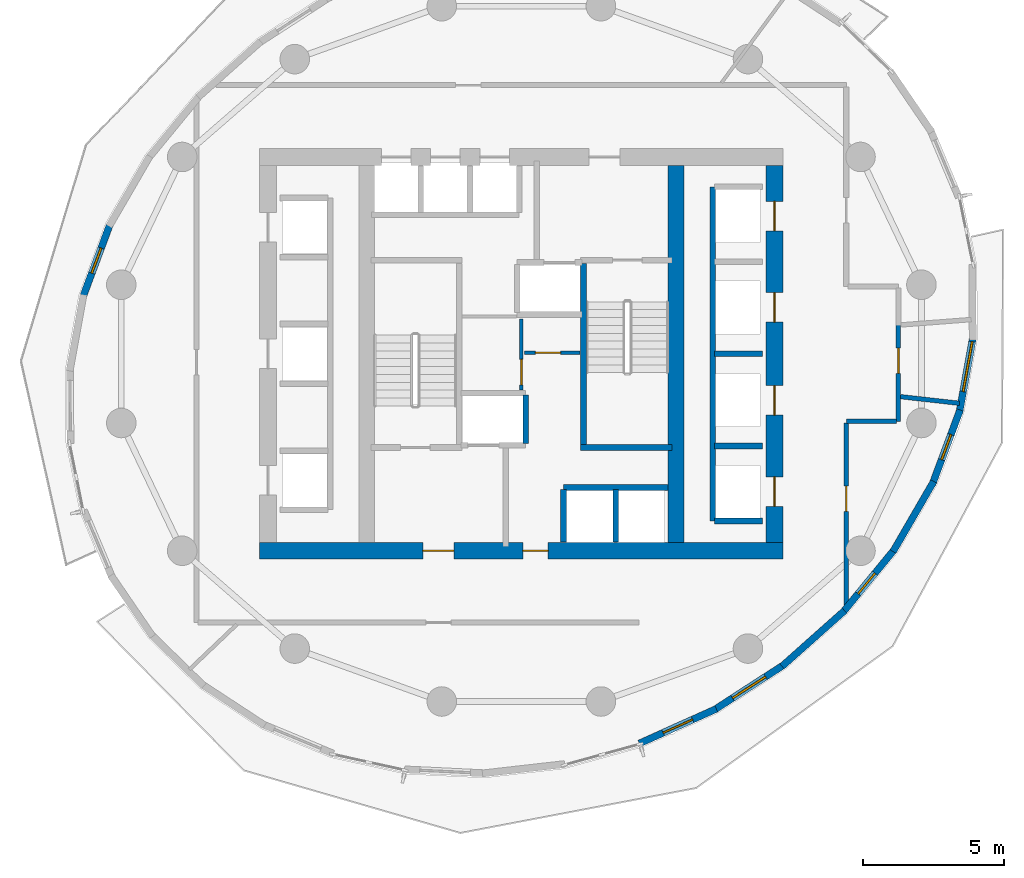
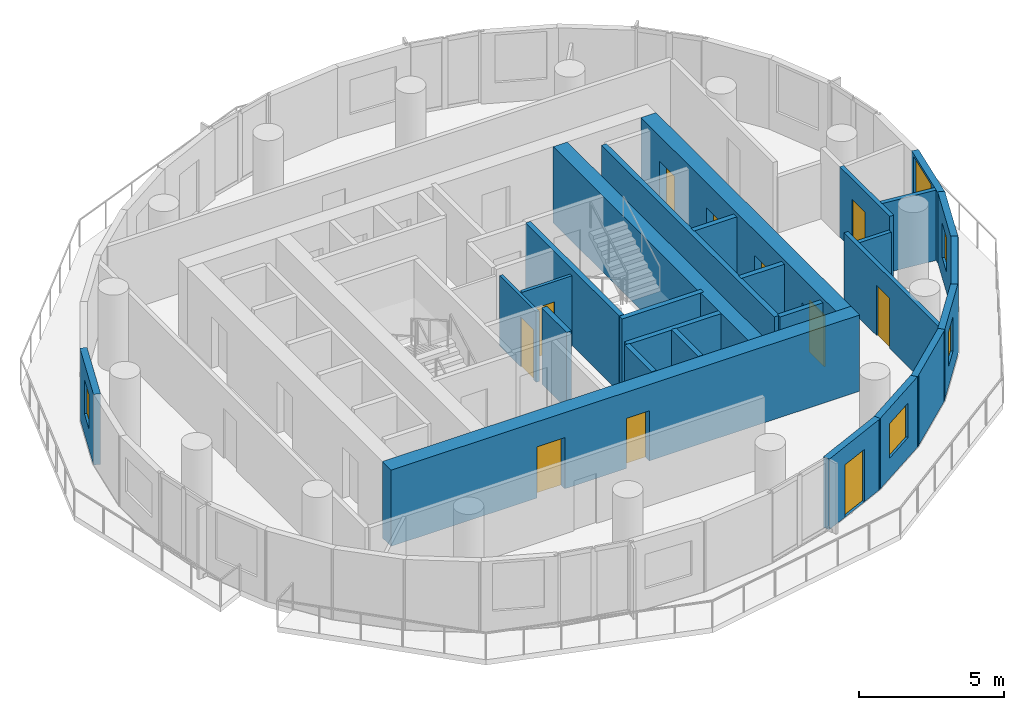
# One storey, part 4 of 11: 27 walls, 11 doors, 5 windows, 16 openings.
"""IFC4 building model written with IfcOpenShell, lengths in metres."""

import ifcopenshell
import ifcopenshell.guid

model = None  # the IFC model being written
_history = None  # IfcOwnerHistory: only IFC2X3 demands one
_inside = {}  # id of a spatial element -> (the spatial element, [elements in it])
_under = {}  # id of a project, library or spatial element -> (it, [spatial elements below it])
_declared = {}  # id of a project -> (the project, [libraries it declares])
_typed = {}  # id of a type object -> (the type object, [elements of that type])
_made_of = {}  # id of a material, layer set ... -> (it, [elements and type objects made of it])


def new_model(schema):
    """Start an empty IFC model of exactly this schema.

    Asked for "IFC4X3", IfcOpenShell would pick the latest addendum, in which some entities
    have other attributes; the version numbers below select the first issue.
    IFC2X3 requires an IfcOwnerHistory on every rooted entity: one is made here for all.
    """
    global model, _history
    if schema == "IFC4X3":
        model = ifcopenshell.file(schema_version=(4, 3, 0, 0))
    else:
        model = ifcopenshell.file(schema=schema)
    _inside.clear()
    _under.clear()
    _declared.clear()
    _typed.clear()
    _made_of.clear()
    _history = None
    if model.schema == "IFC2X3":
        org = make("IfcOrganization", Name="unknown")
        user = make(
            "IfcPersonAndOrganization",
            ThePerson=make("IfcPerson", FamilyName="unknown"),
            TheOrganization=org,
        )
        app = make(
            "IfcApplication",
            ApplicationDeveloper=org,
            Version="unknown",
            ApplicationFullName="unknown",
            ApplicationIdentifier="unknown",
        )
        _history = make(
            "IfcOwnerHistory",
            OwningUser=user,
            OwningApplication=app,
            ChangeAction="ADDED",
            CreationDate=0,
        )
    return model


def make(cls, **values):
    """One entity of the class cls with the attributes given. An attribute that is None is left unset."""
    return model.create_entity(
        cls, **{name: value for name, value in values.items() if value is not None}
    )


def rooted(cls, **values):
    """An entity with a GlobalId (a new one), such as an element, a storey or a relation."""
    return make(cls, GlobalId=ifcopenshell.guid.new(), OwnerHistory=_history, **values)


def si_unit(unit_type, name, prefix=None):
    """IfcSIUnit, for example si_unit("LENGTHUNIT", "METRE", prefix="MILLI")."""
    return make("IfcSIUnit", UnitType=unit_type, Prefix=prefix, Name=name)


def assignment(units):
    """IfcUnitAssignment: the units of a project."""
    return None if units is None else make("IfcUnitAssignment", Units=units)


def point(xyz):
    """IfcCartesianPoint."""
    return None if xyz is None else make("IfcCartesianPoint", Coordinates=xyz)


def direction(xyz):
    """IfcDirection."""
    return None if xyz is None else make("IfcDirection", DirectionRatios=xyz)


def frame(location, z_axis=None, x_axis=None):
    """IfcAxis2Placement3D, a coordinate frame: its origin and axes. An axis left out is left unset."""
    return make(
        "IfcAxis2Placement3D",
        Location=point(location),
        Axis=direction(z_axis),
        RefDirection=direction(x_axis),
    )


def frame_2d(location, x_axis=None):
    """IfcAxis2Placement2D, a coordinate frame in the plane: its origin and x axis."""
    return make(
        "IfcAxis2Placement2D", Location=point(location), RefDirection=direction(x_axis)
    )


def origin():
    """The frame at (0, 0, 0) with its axes left unset."""
    return frame((0.0, 0.0, 0.0))


def place(relative_to, where):
    """IfcLocalPlacement: puts the frame where relative to a parent placement (None: the world)."""
    return make(
        "IfcLocalPlacement", PlacementRelTo=relative_to, RelativePlacement=where
    )


def context(
    kind, dimensions, precision=None, world=None, true_north=None, identifier=None
):
    """IfcGeometricRepresentationContext, for example the 3D "Model" context."""
    return make(
        "IfcGeometricRepresentationContext",
        ContextIdentifier=identifier,
        ContextType=kind,
        CoordinateSpaceDimension=dimensions,
        Precision=precision,
        WorldCoordinateSystem=world,
        TrueNorth=true_north,
    )


def subcontext(parent, identifier, kind, view, scale=None):
    """IfcGeometricRepresentationSubContext, for example "Body" below "Model"."""
    return make(
        "IfcGeometricRepresentationSubContext",
        ContextIdentifier=identifier,
        ContextType=kind,
        ParentContext=parent,
        TargetScale=scale,
        TargetView=view,
    )


def project(units=None, contexts=None):
    """IfcProject with its units and contexts."""
    return rooted(
        "IfcProject",
        Name="project",
        RepresentationContexts=contexts,
        UnitsInContext=assignment(units),
    )


def spatial(cls, under=None, at=None, **own):
    """A site, building, storey or space (cls), placed at a placement, below another one or the project."""
    s = rooted(cls, ObjectPlacement=at, **own)
    if under is not None:
        _under.setdefault(under.id(), (under, []))[1].append(s)
    return s


def profile(cls, at=None, kind="AREA", **sizes):
    """A parametric profile (cls). Its sizes go by their IFC names, for example OverallWidth=200.0."""
    return make(cls, ProfileType=kind, Position=at, **sizes)


def rectangle(**sizes):
    """IfcRectangleProfileDef."""
    return profile("IfcRectangleProfileDef", **sizes)


def extrude(swept, where, along, depth):
    """IfcExtrudedAreaSolid: the profile swept, set in the frame where, extruded along a direction by depth."""
    return make(
        "IfcExtrudedAreaSolid",
        SweptArea=swept,
        Position=where,
        ExtrudedDirection=direction(along),
        Depth=depth,
    )


def shape(context_of_items, identifier, shape_type, items):
    """IfcShapeRepresentation: the items that make up one representation, for example the "Body"."""
    return make(
        "IfcShapeRepresentation",
        ContextOfItems=context_of_items,
        RepresentationIdentifier=identifier,
        RepresentationType=shape_type,
        Items=items,
    )


def material(Name=None, Category=None):
    """IfcMaterial."""
    return make("IfcMaterial", Name=Name, Category=Category)


def layer(
    of_material, thickness, ventilated=None, Name=None, Category=None, Priority=None
):
    """IfcMaterialLayer: one layer of a wall or slab, of a material (None: an air gap)."""
    return make(
        "IfcMaterialLayer",
        Material=of_material,
        LayerThickness=thickness,
        IsVentilated=ventilated,
        Name=Name,
        Category=Category,
        Priority=Priority,
    )


def layer_set(layers, Name=None):
    """IfcMaterialLayerSet."""
    return make("IfcMaterialLayerSet", MaterialLayers=layers, LayerSetName=Name)


def made_of(thing, what):
    """Note that an element or type object is made of a material, layer set ...; save() writes the relation."""
    if what is not None:
        _made_of.setdefault(what.id(), (what, []))[1].append(thing)
    return thing


def type_object(cls, material=None, **own):
    """A type object (cls), such as IfcWallType, which elements share."""
    return made_of(rooted(cls, **own), material)


def element(
    cls,
    number,
    at=None,
    inside=None,
    cuts=None,
    type_object=None,
    material=None,
    context=None,
    identifier="Body",
    shape_type=None,
    held_by="IfcProductDefinitionShape",
    body=None,
    shapes=None,
    **own,
):
    """One element of the class cls, such as IfcWall. Its Tag is "e" and its number.

    at: its placement. inside: the storey or other place that contains it. cuts: it is an
    opening in that element (IfcRelVoidsElement). A single representation is given by context,
    identifier, shape_type and body (its items); several are given by shapes. held_by: the class
    of the entity that holds the representations. save() writes the other relations.
    """
    e = rooted(cls, Tag="e%d" % number, ObjectPlacement=at, **own)
    if body is not None:
        shapes = [shape(context, identifier, shape_type, body)]
    if shapes is not None:
        e.Representation = make(held_by, Representations=shapes)
    if inside is not None:
        _inside.setdefault(inside.id(), (inside, []))[1].append(e)
    if cuts is not None:
        rooted(
            "IfcRelVoidsElement", RelatingBuildingElement=cuts, RelatedOpeningElement=e
        )
    if type_object is not None:
        _typed.setdefault(type_object.id(), (type_object, []))[1].append(e)
    return made_of(e, material)


def fill(opening, filler):
    """IfcRelFillsElement: the door or window that sits in an opening."""
    return rooted(
        "IfcRelFillsElement",
        RelatingOpeningElement=opening,
        RelatedBuildingElement=filler,
    )


def aggregate(whole, parts):
    """IfcRelAggregates: a whole, such as a stair, and the parts it consists of."""
    return rooted("IfcRelAggregates", RelatingObject=whole, RelatedObjects=parts)


def save(model, path):
    """Write the relations noted so far, then the file.

    IfcRelAggregates (storeys below a building ...), IfcRelContainedInSpatialStructure (elements
    in a storey), IfcRelDefinesByType, IfcRelAssociatesMaterial and IfcRelDeclares: one each for
    every whole, place, type object, material and project.
    """
    for whole, parts in _under.values():
        aggregate(whole, parts)
    for where, things in _inside.values():
        rooted(
            "IfcRelContainedInSpatialStructure",
            RelatedElements=things,
            RelatingStructure=where,
        )
    for kind, things in _typed.values():
        rooted("IfcRelDefinesByType", RelatedObjects=things, RelatingType=kind)
    for what, things in _made_of.values():
        rooted("IfcRelAssociatesMaterial", RelatedObjects=things, RelatingMaterial=what)
    for by, libraries in _declared.values():
        rooted("IfcRelDeclares", RelatingContext=by, RelatedDefinitions=libraries)
    model.write(path)


model = new_model("IFC4")

# Units and contexts
model_context = context("Model", 3, precision=1e-05, world=origin(), true_north=direction((0.0, 1.0)))
body_context = subcontext(model_context, "Body", "Model", "MODEL_VIEW")
ifc_project = project(units=[si_unit("LENGTHUNIT", "METRE"), si_unit("AREAUNIT", "SQUARE_METRE"), si_unit("VOLUMEUNIT", "CUBIC_METRE"), si_unit("PLANEANGLEUNIT", "RADIAN"), si_unit("MASSUNIT", "GRAM", prefix="KILO")], contexts=[model_context])

# Site, building, storey
site_placement = place(None, origin())
site = spatial("IfcSite", under=ifc_project, at=site_placement, CompositionType="ELEMENT")
building_placement = place(site_placement, origin())
building = spatial("IfcBuilding", under=site, at=building_placement, Name="Veldorim Arch Residences", CompositionType="ELEMENT")
storey_placement = place(building_placement, frame((0.0, 0.0, 116.9599609375)))
storey = spatial("IfcBuildingStorey", under=building, at=storey_placement, Name="L34", CompositionType="ELEMENT", Elevation=116.9599609375)

# Wall, opening, door
ifc_material_1 = material(Name="Acoustic Gypsum Board", Category="gypsum")
ifc_layer_1 = layer(ifc_material_1, 0.125, Name="Acoustic Stud Room Partition Wall 125")
ifc_layer_set_1 = layer_set([ifc_layer_1], Name="Acoustic Gypsum Board")
wall_type_1 = type_object("IfcWallType", Name="Acoustic Stud Room Partition Wall 125", PredefinedType="PARTITIONING", material=ifc_layer_set_1)
wall_1_placement = place(storey_placement, frame((32.0, 22.719970703125, 0.0), z_axis=(0.0, 0.0, 1.0), x_axis=(0.0, 1.0, 0.0)))
wall_1 = element("IfcWall", 1, at=wall_1_placement, inside=storey, type_object=wall_type_1, Name="L34 interior wall WL-CA-L34-1", PredefinedType="PARTITIONING", context=body_context, shape_type="SweptSolid", body=[
    extrude(rectangle(XDim=2.52001953125, YDim=0.125, at=frame_2d((1.260009765625, 0.0))), origin(), (0.0, 0.0, 1.0), 2.955078125),
])
opening_1_placement = place(wall_1_placement, frame((0.179931640625, 0.0, 0.0)))
opening_1 = element("IfcOpeningElement", 2, at=opening_1_placement, cuts=wall_1, Name="Opening DR-SVC", PredefinedType="OPENING", context=body_context, shape_type="SweptSolid", body=[
    extrude(rectangle(XDim=0.89990234375, YDim=2.10009765625, at=frame_2d((0.449951171875, 1.050048828125))), frame((0.0, 0.072509765625, 0.0), z_axis=(0.0, -1.0, 0.0), x_axis=(1.0, 0.0, 0.0)), (0.0, 0.0, 1.0), 0.14501953125),
])
ifc_material_2 = material(Name="Fire-Rated Steel", Category="steel")
door_type_1 = type_object("IfcDoorType", Name="Riser, Shelter & Plant Room Rated Steel Door 900x2100", OperationType="SINGLE_SWING_LEFT", PredefinedType="DOOR", material=ifc_material_2)
door_1_placement = place(opening_1_placement, origin())
door_1 = element("IfcDoor", 3, at=door_1_placement, inside=storey, type_object=door_type_1, Name="L34 interior door DR-L34-CA2", OperationType="SINGLE_SWING_RIGHT", OverallHeight=2.10009765625, OverallWidth=0.89990234375, PredefinedType="DOOR", context=body_context, shape_type="SweptSolid", body=[
    extrude(rectangle(XDim=0.89990234375, YDim=2.10009765625, at=frame_2d((0.449951171875, 1.050048828125))), frame((0.0, 0.02490234375, 0.0), z_axis=(0.0, -1.0, 0.0), x_axis=(1.0, 0.0, 0.0)), (0.0, 0.0, 1.0), 0.050048828125),
])
fill(opening_1, door_1)

wall_2_placement = place(storey_placement, frame((32.110107421875, 24.0400390625, 0.0), z_axis=(0.0, 0.0, 1.0), x_axis=(1.0, 0.0, 0.0)))
wall_2 = element("IfcWall", 4, at=wall_2_placement, inside=storey, type_object=wall_type_1, Name="L34 interior wall WL-CA-L34-3", PredefinedType="PARTITIONING", context=body_context, shape_type="SweptSolid", body=[
    extrude(rectangle(XDim=1.969970703125, YDim=0.125, at=frame_2d((0.98486328125, 0.0))), origin(), (0.0, 0.0, 1.0), 2.955078125),
])
opening_2_placement = place(wall_2_placement, frame((0.389892578125, 0.0, 0.0)))
opening_2 = element("IfcOpeningElement", 5, at=opening_2_placement, cuts=wall_2, Name="Opening DR-INT", PredefinedType="OPENING", context=body_context, shape_type="SweptSolid", body=[
    extrude(rectangle(XDim=0.89990234375, YDim=2.10009765625, at=frame_2d((0.449951171875, 1.050048828125))), frame((0.0, 0.072509765625, 0.0), z_axis=(0.0, -1.0, 0.0), x_axis=(1.0, 0.0, 0.0)), (0.0, 0.0, 1.0), 0.14501953125),
])
ifc_material_3 = material(Name="Engineered Timber", Category="wood")
door_type_2 = type_object("IfcDoorType", Name="Apartment Internal Room Timber Door 900x2100", OperationType="SINGLE_SWING_LEFT", PredefinedType="DOOR", material=ifc_material_3)
door_2_placement = place(opening_2_placement, origin())
door_2 = element("IfcDoor", 6, at=door_2_placement, inside=storey, type_object=door_type_2, Name="L34 interior door DR-L34-CA1", OperationType="SINGLE_SWING_LEFT", OverallHeight=2.10009765625, OverallWidth=0.89990234375, PredefinedType="DOOR", context=body_context, shape_type="SweptSolid", body=[
    extrude(rectangle(XDim=0.89990234375, YDim=2.10009765625, at=frame_2d((0.449951171875, 1.050048828125))), frame((0.0, 0.02490234375, 0.0), z_axis=(0.0, -1.0, 0.0), x_axis=(1.0, 0.0, 0.0)), (0.0, 0.0, 1.0), 0.050048828125),
])
fill(opening_2, door_2)

# Walls
ifc_material_4 = material(Name="Concrete C50/60", Category="concrete")
ifc_layer_2 = layer(ifc_material_4, 0.199951171875, Name="Core Stair & Lift Shaft Enclosure Wall 200")
ifc_layer_set_2 = layer_set([ifc_layer_2], Name="Concrete C50/60")
wall_type_2 = type_object("IfcWallType", Name="Core Stair & Lift Shaft Enclosure Wall 200", PredefinedType="SHEAR", material=ifc_layer_set_2)
wall_3_placement = place(storey_placement, frame((34.2099609375, 20.780029296875, 0.0), z_axis=(0.0, 0.0, 1.0), x_axis=(0.0, 1.0, 0.0)))
element("IfcWall", 7, at=wall_3_placement, inside=storey, type_object=wall_type_2, Name="L34 shaft wall WL-SHF-L34-ST2-W", PredefinedType="SHEAR", context=body_context, shape_type="SweptSolid", body=[
    extrude(rectangle(XDim=6.43994140625, YDim=0.199951171875, at=frame_2d((3.219970703125, 0.0))), origin(), (0.0, 0.0, 1.0), 3.199951171875),
])
wall_4_placement = place(storey_placement, frame((34.110107421875, 20.669921875, 0.0), z_axis=(0.0, 0.0, 1.0), x_axis=(1.0, 0.0, 0.0)))
element("IfcWall", 8, at=wall_4_placement, inside=storey, type_object=wall_type_2, Name="L34 shaft wall WL-SHF-L34-ST2-S", PredefinedType="SHEAR", context=body_context, shape_type="SweptSolid", body=[
    extrude(rectangle(XDim=3.239990234375, YDim=0.199951171875, at=frame_2d((1.6201171875, 0.0))), origin(), (0.0, 0.0, 1.0), 3.199951171875),
])
wall_5_placement = place(storey_placement, frame((32.14990234375, 20.820068359375, 0.0), z_axis=(0.0, 0.0, 1.0), x_axis=(0.0, 1.0, 0.0)))
element("IfcWall", 9, at=wall_5_placement, inside=storey, type_object=wall_type_2, Name="L34 shaft wall WL-FL01-L34-E", PredefinedType="SHEAR", context=body_context, shape_type="SweptSolid", body=[
    extrude(rectangle(XDim=1.7099609375, YDim=0.199951171875, at=frame_2d((0.85498046875, 0.0))), origin(), (0.0, 0.0, 1.0), 3.199951171875),
])
wall_6_placement = place(storey_placement, frame((38.800048828125, 18.06005859375, 0.0), z_axis=(0.0, 0.0, 1.0), x_axis=(0.0, 1.0, 0.0)))
element("IfcWall", 10, at=wall_6_placement, inside=storey, type_object=wall_type_2, Name="L34 shaft wall WL-B1-L34-W", PredefinedType="SHEAR", context=body_context, shape_type="SweptSolid", body=[
    extrude(rectangle(XDim=11.8798828125, YDim=0.199951171875, at=frame_2d((5.93994140625, 0.0))), origin(), (0.0, 0.0, 1.0), 3.199951171875),
])
for number, where, z_axis, x_axis, name in (
    (11, (38.8701171875, 18.06005859375, 0.0), (0.0, 0.0, 1.0), (1.0, 0.0, 0.0), "L34 shaft wall WL-B1-L34-S"),
    (12, (38.8701171875, 20.72509765625, 0.0), (0.0, 0.0, 1.0), (1.0, 0.0, 0.0), "L34 shaft wall WL-B1-L34-D1"),
    (13, (38.8701171875, 24.0, 0.0), (0.0, 0.0, 1.0), (1.0, 0.0, 0.0), "L34 shaft wall WL-B1-L34-D2"),
):
    element("IfcWall", number, at=place(storey_placement, frame(where, z_axis=z_axis, x_axis=x_axis)), inside=storey, type_object=wall_type_2, Name=name, PredefinedType="SHEAR", context=body_context, shape_type="SweptSolid", body=[
        extrude(rectangle(XDim=1.7099609375, YDim=0.199951171875, at=frame_2d((0.85498046875, 0.0))), origin(), (0.0, 0.0, 1.0), 3.199951171875),
    ])
wall_7_placement = place(storey_placement, frame((33.5, 19.25, 0.0), z_axis=(0.0, 0.0, 1.0), x_axis=(1.0, 0.0, 0.0)))
element("IfcWall", 14, at=wall_7_placement, inside=storey, type_object=wall_type_2, Name="L34 shaft wall WL-OL-L34-N", PredefinedType="SHEAR", context=body_context, shape_type="SweptSolid", body=[
    extrude(rectangle(XDim=3.719970703125, YDim=0.199951171875, at=frame_2d((1.85986328125, 0.0))), origin(), (0.0, 0.0, 1.0), 3.199951171875),
])
for number, where, z_axis, x_axis, name in (
    (15, (33.5, 17.320068359375, 0.0), (0.0, 0.0, 1.0), (0.0, 1.0, 0.0), "L34 shaft wall WL-OL-L34-W"),
    (16, (35.35009765625, 17.320068359375, 0.0), (0.0, 0.0, 1.0), (0.0, 1.0, 0.0), "L34 shaft wall WL-OL-L34-D1"),
):
    element("IfcWall", number, at=place(storey_placement, frame(where, z_axis=z_axis, x_axis=x_axis)), inside=storey, type_object=wall_type_2, Name=name, PredefinedType="SHEAR", context=body_context, shape_type="SweptSolid", body=[
        extrude(rectangle(XDim=1.85986328125, YDim=0.199951171875, at=frame_2d((0.929931640625, 0.0))), origin(), (0.0, 0.0, 1.0), 3.199951171875),
    ])

# Wall, openings, doors
ifc_material_5 = material(Name="Concrete C50/60", Category="concrete")
ifc_layer_3 = layer(ifc_material_5, 0.60009765625, Name="Mid-Upper Central Core Shear Wall 600")
ifc_layer_set_3 = layer_set([ifc_layer_3], Name="Concrete C50/60")
wall_type_3 = type_object("IfcWallType", Name="Mid-Upper Central Core Shear Wall 600", PredefinedType="SHEAR", material=ifc_layer_set_3)
wall_8_placement = place(storey_placement, frame((22.699951171875, 17.0, 0.0), z_axis=(0.0, 0.0, 1.0), x_axis=(1.0, 0.0, 0.0)))
wall_8 = element("IfcWall", 17, at=wall_8_placement, inside=storey, type_object=wall_type_3, Name="L34 central core south shear wall", PredefinedType="SHEAR", context=body_context, shape_type="SweptSolid", body=[
    extrude(rectangle(XDim=18.60009765625, YDim=0.60009765625, at=frame_2d((9.300048828125, 0.0))), origin(), (0.0, 0.0, 1.0), 3.199951171875),
])
opening_3_placement = place(wall_8_placement, frame((5.800048828125, 0.0, 0.0)))
opening_3 = element("IfcOpeningElement", 18, at=opening_3_placement, cuts=wall_8, Name="Opening DR-FFL", PredefinedType="OPENING", context=body_context, shape_type="SweptSolid", body=[
    extrude(rectangle(XDim=1.10009765625, YDim=2.14990234375, at=frame_2d((0.550048828125, 1.074951171875))), frame((0.0, 0.31005859375, 0.0), z_axis=(0.0, -1.0, 0.0), x_axis=(1.0, 0.0, 0.0)), (0.0, 0.0, 1.0), 0.6201171875),
])
opening_4_placement = place(wall_8_placement, frame((9.35009765625, 0.0, 0.0)))
opening_4 = element("IfcOpeningElement", 19, at=opening_4_placement, cuts=wall_8, Name="Opening DR-SVC", PredefinedType="OPENING", context=body_context, shape_type="SweptSolid", body=[
    extrude(rectangle(XDim=0.89990234375, YDim=2.10009765625, at=frame_2d((0.449951171875, 1.050048828125))), frame((0.0, 0.31005859375, 0.0), z_axis=(0.0, -1.0, 0.0), x_axis=(1.0, 0.0, 0.0)), (0.0, 0.0, 1.0), 0.6201171875),
])
ifc_material_6 = material(Name="Fire-Rated Steel & Vision Glass", Category="steel")
door_type_3 = type_object("IfcDoorType", Name="Firefighting Lobby Smoke-Stop Fire Door 1100x2150", OperationType="SINGLE_SWING_LEFT", PredefinedType="DOOR", material=ifc_material_6)
door_3_placement = place(opening_3_placement, origin())
door_3 = element("IfcDoor", 20, at=door_3_placement, inside=storey, type_object=door_type_3, Name="L34 interior door DR-L34-FFL1", OperationType="SINGLE_SWING_RIGHT", OverallHeight=2.14990234375, OverallWidth=1.10009765625, PredefinedType="DOOR", context=body_context, shape_type="SweptSolid", body=[
    extrude(rectangle(XDim=1.10009765625, YDim=2.14990234375, at=frame_2d((0.550048828125, 1.074951171875))), frame((0.0, 0.02490234375, 0.0), z_axis=(0.0, -1.0, 0.0), x_axis=(1.0, 0.0, 0.0)), (0.0, 0.0, 1.0), 0.050048828125),
])
fill(opening_3, door_3)
door_4_placement = place(opening_4_placement, origin())
door_4 = element("IfcDoor", 21, at=door_4_placement, inside=storey, type_object=door_type_1, Name="L34 interior door DR-L34-COR-ANC", OperationType="SINGLE_SWING_LEFT", OverallHeight=2.10009765625, OverallWidth=0.89990234375, PredefinedType="DOOR", context=body_context, shape_type="SweptSolid", body=[
    extrude(rectangle(XDim=0.89990234375, YDim=2.10009765625, at=frame_2d((0.449951171875, 1.050048828125))), frame((0.0, 0.02490234375, 0.0), z_axis=(0.0, -1.0, 0.0), x_axis=(1.0, 0.0, 0.0)), (0.0, 0.0, 1.0), 0.050048828125),
])
fill(opening_4, door_4)

wall_9_placement = place(storey_placement, frame((41.0, 17.300048828125, 0.0), z_axis=(0.0, 0.0, 1.0), x_axis=(0.0, 1.0, 0.0)))
wall_9 = element("IfcWall", 22, at=wall_9_placement, inside=storey, type_object=wall_type_3, Name="L34 central core east shear wall", PredefinedType="SHEAR", context=body_context, shape_type="SweptSolid", body=[
    extrude(rectangle(XDim=13.39990234375, YDim=0.60009765625, at=frame_2d((6.699951171875, 0.0))), origin(), (0.0, 0.0, 1.0), 3.199951171875),
])
opening_5_placement = place(wall_9_placement, frame((1.27490234375, 0.0, 0.0)))
opening_5 = element("IfcOpeningElement", 23, at=opening_5_placement, cuts=wall_9, Name="Opening LD-PS", PredefinedType="OPENING", context=body_context, shape_type="SweptSolid", body=[
    extrude(rectangle(XDim=1.050048828125, YDim=2.14990234375, at=frame_2d((0.52490234375, 1.074951171875))), frame((0.0, 0.31005859375, 0.0), z_axis=(0.0, -1.0, 0.0), x_axis=(1.0, 0.0, 0.0)), (0.0, 0.0, 1.0), 0.6201171875),
])
opening_6_placement = place(wall_9_placement, frame((4.52490234375, 0.0, 0.0)))
opening_6 = element("IfcOpeningElement", 24, at=opening_6_placement, cuts=wall_9, Name="Opening LD-PS", PredefinedType="OPENING", context=body_context, shape_type="SweptSolid", body=[
    extrude(rectangle(XDim=1.050048828125, YDim=2.14990234375, at=frame_2d((0.52490234375, 1.074951171875))), frame((0.0, 0.31005859375, 0.0), z_axis=(0.0, -1.0, 0.0), x_axis=(1.0, 0.0, 0.0)), (0.0, 0.0, 1.0), 0.6201171875),
])
opening_7_placement = place(wall_9_placement, frame((7.824951171875, 0.0, 0.0)))
opening_7 = element("IfcOpeningElement", 25, at=opening_7_placement, cuts=wall_9, Name="Opening LD-PS", PredefinedType="OPENING", context=body_context, shape_type="SweptSolid", body=[
    extrude(rectangle(XDim=1.050048828125, YDim=2.14990234375, at=frame_2d((0.52490234375, 1.074951171875))), frame((0.0, 0.31005859375, 0.0), z_axis=(0.0, -1.0, 0.0), x_axis=(1.0, 0.0, 0.0)), (0.0, 0.0, 1.0), 0.6201171875),
])
opening_8_placement = place(wall_9_placement, frame((11.074951171875, 0.0, 0.0)))
opening_8 = element("IfcOpeningElement", 26, at=opening_8_placement, cuts=wall_9, Name="Opening LD-PS", PredefinedType="OPENING", context=body_context, shape_type="SweptSolid", body=[
    extrude(rectangle(XDim=1.050048828125, YDim=2.14990234375, at=frame_2d((0.52490234375, 1.074951171875))), frame((0.0, 0.31005859375, 0.0), z_axis=(0.0, -1.0, 0.0), x_axis=(1.0, 0.0, 0.0)), (0.0, 0.0, 1.0), 0.6201171875),
])
ifc_material_7 = material(Name="Stainless Steel", Category="steel")
door_type_4 = type_object("IfcDoorType", Name="Passenger Lift Bi-Parting Sliding Landing Door 1050x2150", OperationType="DOUBLE_DOOR_SLIDING", PredefinedType="DOOR", material=ifc_material_7)
door_5_placement = place(opening_5_placement, origin())
door_5 = element("IfcDoor", 27, at=door_5_placement, inside=storey, type_object=door_type_4, Name="L34 lift landing door LD-L34-PL-01", OperationType="DOUBLE_DOOR_SLIDING", OverallHeight=2.14990234375, OverallWidth=1.050048828125, PredefinedType="DOOR", context=body_context, shape_type="SweptSolid", body=[
    extrude(rectangle(XDim=1.050048828125, YDim=2.14990234375, at=frame_2d((0.52490234375, 1.074951171875))), frame((0.0, 0.02490234375, 0.0), z_axis=(0.0, -1.0, 0.0), x_axis=(1.0, 0.0, 0.0)), (0.0, 0.0, 1.0), 0.050048828125),
])
fill(opening_5, door_5)
door_6_placement = place(opening_6_placement, origin())
door_6 = element("IfcDoor", 28, at=door_6_placement, inside=storey, type_object=door_type_4, Name="L34 lift landing door LD-L34-PL-02", OperationType="DOUBLE_DOOR_SLIDING", OverallHeight=2.14990234375, OverallWidth=1.050048828125, PredefinedType="DOOR", context=body_context, shape_type="SweptSolid", body=[
    extrude(rectangle(XDim=1.050048828125, YDim=2.14990234375, at=frame_2d((0.52490234375, 1.074951171875))), frame((0.0, 0.02490234375, 0.0), z_axis=(0.0, -1.0, 0.0), x_axis=(1.0, 0.0, 0.0)), (0.0, 0.0, 1.0), 0.050048828125),
])
fill(opening_6, door_6)
door_7_placement = place(opening_7_placement, origin())
door_7 = element("IfcDoor", 29, at=door_7_placement, inside=storey, type_object=door_type_4, Name="L34 lift landing door LD-L34-PL-03", OperationType="DOUBLE_DOOR_SLIDING", OverallHeight=2.14990234375, OverallWidth=1.050048828125, PredefinedType="DOOR", context=body_context, shape_type="SweptSolid", body=[
    extrude(rectangle(XDim=1.050048828125, YDim=2.14990234375, at=frame_2d((0.52490234375, 1.074951171875))), frame((0.0, 0.02490234375, 0.0), z_axis=(0.0, -1.0, 0.0), x_axis=(1.0, 0.0, 0.0)), (0.0, 0.0, 1.0), 0.050048828125),
])
fill(opening_7, door_7)
door_8_placement = place(opening_8_placement, origin())
door_8 = element("IfcDoor", 30, at=door_8_placement, inside=storey, type_object=door_type_4, Name="L34 lift landing door LD-L34-PL-04", OperationType="DOUBLE_DOOR_SLIDING", OverallHeight=2.14990234375, OverallWidth=1.050048828125, PredefinedType="DOOR", context=body_context, shape_type="SweptSolid", body=[
    extrude(rectangle(XDim=1.050048828125, YDim=2.14990234375, at=frame_2d((0.52490234375, 1.074951171875))), frame((0.0, 0.02490234375, 0.0), z_axis=(0.0, -1.0, 0.0), x_axis=(1.0, 0.0, 0.0)), (0.0, 0.0, 1.0), 0.050048828125),
])
fill(opening_8, door_8)

# Wall, opening, window
ifc_material_8 = material(Name="Precast concrete C40/50", Category="concrete")
ifc_layer_4 = layer(ifc_material_8, 0.25, Name="Tower Terracotta Spandrel & Pier Wall 250")
ifc_layer_set_4 = layer_set([ifc_layer_4], Name="Precast concrete C40/50")
wall_type_4 = type_object("IfcWallType", Name="Tower Terracotta Spandrel & Pier Wall 250", PredefinedType="SOLIDWALL", material=ifc_layer_set_4)
wall_10_placement = place(storey_placement, frame((16.403076171875, 25.99560546875, 0.0), z_axis=(0.0, 0.0, 1.0), x_axis=(0.349100071797, 0.93708544961, 0.0)))
wall_10 = element("IfcWall", 31, at=wall_10_placement, inside=storey, type_object=wall_type_4, Name="L34 terracotta facade wall 14", PredefinedType="SOLIDWALL", context=body_context, shape_type="SweptSolid", body=[
    extrude(rectangle(XDim=2.817626953125, YDim=0.25, at=frame_2d((1.40869140625, 0.0))), origin(), (0.0, 0.0, 1.0), 2.9599609375),
])
opening_9_placement = place(wall_10_placement, frame((0.93408203125, 0.0, 0.85009765625)))
opening_9 = element("IfcOpeningElement", 32, at=opening_9_placement, cuts=wall_10, Name="Opening WN-05", PredefinedType="OPENING", context=body_context, shape_type="SweptSolid", body=[
    extrude(rectangle(XDim=0.949951171875, YDim=1.449951171875, at=frame_2d((0.47509765625, 0.72509765625))), frame((0.0, 0.135009765625, 0.0), z_axis=(0.0, -1.0, 0.0), x_axis=(1.0, 0.0, 0.0)), (0.0, 0.0, 1.0), 0.27001953125),
])
ifc_material_9 = material(Name="Laminated Low-E Glass", Category="glass")
window_type_1 = type_object("IfcWindowType", Name="Residential Compact Casement Window 950x1450", PartitioningType="SINGLE_PANEL", PredefinedType="WINDOW", material=ifc_material_9)
window_1_placement = place(opening_9_placement, origin())
window_1 = element("IfcWindow", 33, at=window_1_placement, inside=storey, type_object=window_type_1, Name="L34 solar-control facade window 14", OverallHeight=1.449951171875, OverallWidth=0.949951171875, PartitioningType="SINGLE_PANEL", PredefinedType="WINDOW", context=body_context, shape_type="SweptSolid", body=[
    extrude(rectangle(XDim=0.949951171875, YDim=1.449951171875, at=frame_2d((0.47509765625, 0.72509765625))), frame((0.0, 0.030029296875, 0.0), z_axis=(0.0, -1.0, 0.0), x_axis=(1.0, 0.0, 0.0)), (0.0, 0.0, 1.0), 0.06005859375),
])
fill(opening_9, window_1)

# Wall, opening, door
wall_11_placement = place(storey_placement, frame((38.931396484375, 11.37939453125, 0.0), z_axis=(0.0, 0.0, 1.0), x_axis=(-0.912043359661, -0.410093782076, 0.0)))
wall_11 = element("IfcWall", 34, at=wall_11_placement, inside=storey, type_object=wall_type_4, Name="L34 terracotta facade wall 27", PredefinedType="SOLIDWALL", context=body_context, shape_type="SweptSolid", body=[
    extrude(rectangle(XDim=2.998046875, YDim=0.25, at=frame_2d((1.4990234375, 0.0))), origin(), (0.0, 0.0, 1.0), 2.9599609375),
])
opening_10_placement = place(wall_11_placement, frame((0.924072265625, 0.0, 0.0)))
opening_10 = element("IfcOpeningElement", 35, at=opening_10_placement, cuts=wall_11, Name="Opening BL-DR", PredefinedType="OPENING", context=body_context, shape_type="SweptSolid", body=[
    extrude(rectangle(XDim=1.14990234375, YDim=2.199951171875, at=frame_2d((0.574951171875, 1.10009765625))), frame((0.0, 0.135009765625, 0.0), z_axis=(0.0, -1.0, 0.0), x_axis=(1.0, 0.0, 0.0)), (0.0, 0.0, 1.0), 0.27001953125),
])
ifc_material_10 = material(Name="Aluminium & Low-E Glass", Category="aluminium")
door_type_5 = type_object("IfcDoorType", Name="Glazed Planted Balcony Door 1150x2200", OperationType="SINGLE_SWING_LEFT", PredefinedType="DOOR", material=ifc_material_10)
door_9_placement = place(opening_10_placement, origin())
door_9 = element("IfcDoor", 36, at=door_9_placement, inside=storey, type_object=door_type_5, Name="L34 glazed outdoor terrace door BALC-2", OperationType="SINGLE_SWING_LEFT", OverallHeight=2.199951171875, OverallWidth=1.14990234375, PredefinedType="DOOR", context=body_context, shape_type="SweptSolid", body=[
    extrude(rectangle(XDim=1.14990234375, YDim=2.199951171875, at=frame_2d((0.574951171875, 1.10009765625))), frame((0.0, 0.02490234375, 0.0), z_axis=(0.0, -1.0, 0.0), x_axis=(1.0, 0.0, 0.0)), (0.0, 0.0, 1.0), 0.050048828125),
])
fill(opening_10, door_9)

# Wall, opening, window
wall_12_placement = place(storey_placement, frame((41.353271484375, 12.956298828125, 0.0), z_axis=(0.0, 0.0, 1.0), x_axis=(-0.839563603446, -0.543261406478, 0.0)))
wall_12 = element("IfcWall", 37, at=wall_12_placement, inside=storey, type_object=wall_type_4, Name="L34 terracotta facade wall 28", PredefinedType="SOLIDWALL", context=body_context, shape_type="SweptSolid", body=[
    extrude(rectangle(XDim=2.998291015625, YDim=0.25, at=frame_2d((1.4990234375, 0.0))), origin(), (0.0, 0.0, 1.0), 2.9599609375),
])
opening_11_placement = place(wall_12_placement, frame((0.799072265625, 0.0, 0.85009765625)))
opening_11 = element("IfcOpeningElement", 38, at=opening_11_placement, cuts=wall_12, Name="Opening WN-02", PredefinedType="OPENING", context=body_context, shape_type="SweptSolid", body=[
    extrude(rectangle(XDim=1.39990234375, YDim=1.449951171875, at=frame_2d((0.699951171875, 0.72509765625))), frame((0.0, 0.135009765625, 0.0), z_axis=(0.0, -1.0, 0.0), x_axis=(1.0, 0.0, 0.0)), (0.0, 0.0, 1.0), 0.27001953125),
])
ifc_material_11 = material(Name="Laminated Low-E Glass", Category="glass")
window_type_2 = type_object("IfcWindowType", Name="Residential Casement Window 1400x1550", PartitioningType="SINGLE_PANEL", PredefinedType="WINDOW", material=ifc_material_11)
window_2_placement = place(opening_11_placement, origin())
window_2 = element("IfcWindow", 39, at=window_2_placement, inside=storey, type_object=window_type_2, Name="L34 solar-control facade window 28", OverallHeight=1.449951171875, OverallWidth=1.39990234375, PartitioningType="SINGLE_PANEL", PredefinedType="WINDOW", context=body_context, shape_type="SweptSolid", body=[
    extrude(rectangle(XDim=1.39990234375, YDim=1.449951171875, at=frame_2d((0.699951171875, 0.72509765625))), frame((0.0, 0.030029296875, 0.0), z_axis=(0.0, -1.0, 0.0), x_axis=(1.0, 0.0, 0.0)), (0.0, 0.0, 1.0), 0.06005859375),
])
fill(opening_11, window_2)

# Wall
wall_13_placement = place(storey_placement, frame((43.490234375, 14.869873046875, 0.0), z_axis=(0.0, 0.0, 1.0), x_axis=(-0.746920467444, -0.664913389332, 0.0)))
element("IfcWall", 40, at=wall_13_placement, inside=storey, type_object=wall_type_4, Name="L34 terracotta facade wall 29", PredefinedType="SOLIDWALL", context=body_context, shape_type="SweptSolid", body=[
    extrude(rectangle(XDim=2.97705078125, YDim=0.25, at=frame_2d((1.488525390625, 0.0))), origin(), (0.0, 0.0, 1.0), 2.9599609375),
])

# Wall, opening, window
wall_14_placement = place(storey_placement, frame((45.277587890625, 17.0615234375, 0.0), z_axis=(0.0, 0.0, 1.0), x_axis=(-0.634328076021, -0.7730639637, 0.0)))
wall_14 = element("IfcWall", 41, at=wall_14_placement, inside=storey, type_object=wall_type_4, Name="L34 terracotta facade wall 30", PredefinedType="SOLIDWALL", context=body_context, shape_type="SweptSolid", body=[
    extrude(rectangle(XDim=2.93701171875, YDim=0.25, at=frame_2d((1.468505859375, 0.0))), origin(), (0.0, 0.0, 1.0), 2.9599609375),
])
opening_12_placement = place(wall_14_placement, frame((1.110107421875, 0.0, 0.85009765625)))
opening_12 = element("IfcOpeningElement", 42, at=opening_12_placement, cuts=wall_14, Name="Opening WN-05", PredefinedType="OPENING", context=body_context, shape_type="SweptSolid", body=[
    extrude(rectangle(XDim=0.949951171875, YDim=1.449951171875, at=frame_2d((0.47509765625, 0.72509765625))), frame((0.0, 0.135009765625, 0.0), z_axis=(0.0, -1.0, 0.0), x_axis=(1.0, 0.0, 0.0)), (0.0, 0.0, 1.0), 0.27001953125),
])
window_3_placement = place(opening_12_placement, origin())
window_3 = element("IfcWindow", 43, at=window_3_placement, inside=storey, type_object=window_type_1, Name="L34 solar-control facade window 30", OverallHeight=1.449951171875, OverallWidth=0.949951171875, PartitioningType="SINGLE_PANEL", PredefinedType="WINDOW", context=body_context, shape_type="SweptSolid", body=[
    extrude(rectangle(XDim=0.949951171875, YDim=1.449951171875, at=frame_2d((0.47509765625, 0.72509765625))), frame((0.0, 0.030029296875, 0.0), z_axis=(0.0, -1.0, 0.0), x_axis=(1.0, 0.0, 0.0)), (0.0, 0.0, 1.0), 0.06005859375),
])
fill(opening_12, window_3)

# Wall
wall_15_placement = place(storey_placement, frame((46.660400390625, 19.464111328125, 0.0), z_axis=(0.0, 0.0, 1.0), x_axis=(-0.501630602612, -0.865081925903, 0.0)))
element("IfcWall", 44, at=wall_15_placement, inside=storey, type_object=wall_type_4, Name="L34 terracotta facade wall 31", PredefinedType="SOLIDWALL", context=body_context, shape_type="SweptSolid", body=[
    extrude(rectangle(XDim=2.8818359375, YDim=0.25, at=frame_2d((1.44091796875, 0.0))), origin(), (0.0, 0.0, 1.0), 2.9599609375),
])

# Wall, opening, window
wall_16_placement = place(storey_placement, frame((47.596923828125, 22.00439453125, 0.0), z_axis=(0.0, 0.0, 1.0), x_axis=(-0.349100071797, -0.93708544961, 0.0)))
wall_16 = element("IfcWall", 45, at=wall_16_placement, inside=storey, type_object=wall_type_4, Name="L34 terracotta facade wall 32", PredefinedType="SOLIDWALL", context=body_context, shape_type="SweptSolid", body=[
    extrude(rectangle(XDim=2.817626953125, YDim=0.25, at=frame_2d((1.40869140625, 0.0))), origin(), (0.0, 0.0, 1.0), 2.9599609375),
])
opening_13_placement = place(wall_16_placement, frame((0.93408203125, 0.0, 0.85009765625)))
opening_13 = element("IfcOpeningElement", 46, at=opening_13_placement, cuts=wall_16, Name="Opening WN-05", PredefinedType="OPENING", context=body_context, shape_type="SweptSolid", body=[
    extrude(rectangle(XDim=0.949951171875, YDim=1.449951171875, at=frame_2d((0.47509765625, 0.72509765625))), frame((0.0, 0.135009765625, 0.0), z_axis=(0.0, -1.0, 0.0), x_axis=(1.0, 0.0, 0.0)), (0.0, 0.0, 1.0), 0.27001953125),
])
window_4_placement = place(opening_13_placement, origin())
window_4 = element("IfcWindow", 47, at=window_4_placement, inside=storey, type_object=window_type_1, Name="L34 solar-control facade window 32", OverallHeight=1.449951171875, OverallWidth=0.949951171875, PartitioningType="SINGLE_PANEL", PredefinedType="WINDOW", context=body_context, shape_type="SweptSolid", body=[
    extrude(rectangle(XDim=0.949951171875, YDim=1.449951171875, at=frame_2d((0.47509765625, 0.72509765625))), frame((0.0, 0.030029296875, 0.0), z_axis=(0.0, -1.0, 0.0), x_axis=(1.0, 0.0, 0.0)), (0.0, 0.0, 1.0), 0.06005859375),
])
fill(opening_13, window_4)

wall_17_placement = place(storey_placement, frame((48.05859375, 24.604248046875, 0.0), z_axis=(0.0, 0.0, 1.0), x_axis=(-0.178495077034, -0.983940804863, 0.0)))
wall_17 = element("IfcWall", 48, at=wall_17_placement, inside=storey, type_object=wall_type_4, Name="L34 terracotta facade wall 33", PredefinedType="SOLIDWALL", context=body_context, shape_type="SweptSolid", body=[
    extrude(rectangle(XDim=2.751953125, YDim=0.25, at=frame_2d((1.3759765625, 0.0))), origin(), (0.0, 0.0, 1.0), 2.9599609375),
])
opening_14_placement = place(wall_17_placement, frame((0.175048828125, 0.0, 0.85009765625)))
opening_14 = element("IfcOpeningElement", 49, at=opening_14_placement, cuts=wall_17, Name="Opening WN-04", PredefinedType="OPENING", context=body_context, shape_type="SweptSolid", body=[
    extrude(rectangle(XDim=1.800048828125, YDim=2.0, at=frame_2d((0.89990234375, 1.0))), frame((0.0, 0.135009765625, 0.0), z_axis=(0.0, -1.0, 0.0), x_axis=(1.0, 0.0, 0.0)), (0.0, 0.0, 1.0), 0.27001953125),
])
ifc_material_12 = material(Name="Laminated Low-E Glass", Category="glass")
window_type_3 = type_object("IfcWindowType", Name="Sky Lounge Tall Picture Window 1800x1370", PartitioningType="SINGLE_PANEL", PredefinedType="WINDOW", material=ifc_material_12)
window_5_placement = place(opening_14_placement, origin())
window_5 = element("IfcWindow", 50, at=window_5_placement, inside=storey, type_object=window_type_3, Name="L34 solar-control facade window 33", OverallHeight=2.0, OverallWidth=1.800048828125, PartitioningType="SINGLE_PANEL", PredefinedType="WINDOW", context=body_context, shape_type="SweptSolid", body=[
    extrude(rectangle(XDim=1.800048828125, YDim=2.0, at=frame_2d((0.89990234375, 1.0))), frame((0.0, 0.030029296875, 0.0), z_axis=(0.0, -1.0, 0.0), x_axis=(1.0, 0.0, 0.0)), (0.0, 0.0, 1.0), 0.06005859375),
])
fill(opening_14, window_5)

# Wall
ifc_material_13 = material(Name="Concrete C50/60", Category="concrete")
ifc_layer_5 = layer(ifc_material_13, 0.56005859375, Name="Upper Internal Core Shear Web Wall 560")
ifc_layer_set_5 = layer_set([ifc_layer_5], Name="Concrete C50/60")
wall_type_5 = type_object("IfcWallType", Name="Upper Internal Core Shear Web Wall 560", PredefinedType="SHEAR", material=ifc_layer_set_5)
wall_18_placement = place(storey_placement, frame((37.5, 17.300048828125, 0.0), z_axis=(0.0, 0.0, 1.0), x_axis=(0.0, 1.0, 0.0)))
element("IfcWall", 51, at=wall_18_placement, inside=storey, type_object=wall_type_5, Name="L34 core east internal shear web", PredefinedType="SHEAR", context=body_context, shape_type="SweptSolid", body=[
    extrude(rectangle(XDim=13.39990234375, YDim=0.56005859375, at=frame_2d((6.699951171875, 0.0))), origin(), (0.0, 0.0, 1.0), 3.199951171875),
])

# Wall, opening, door
ifc_material_14 = material(Name="Moisture-Resistant Gypsum & Stud", Category="gypsum")
ifc_layer_6 = layer(ifc_material_14, 0.159912109375, Name="Wet-Area Moisture-Resistant Plumbing Wall 160")
ifc_layer_set_6 = layer_set([ifc_layer_6], Name="Moisture-Resistant Gypsum & Stud")
wall_type_6 = type_object("IfcWallType", Name="Wet-Area Moisture-Resistant Plumbing Wall 160", PredefinedType="PLUMBINGWALL", material=ifc_layer_set_6)
wall_19_placement = place(storey_placement, frame((45.39990234375, 25.041748046875, 0.0), z_axis=(0.0, 0.0, 1.0), x_axis=(0.0, -1.0, 0.0)))
wall_19 = element("IfcWall", 52, at=wall_19_placement, inside=storey, type_object=wall_type_6, Name="L34 interior wall WL-SKY-L34-004", PredefinedType="PLUMBINGWALL", context=body_context, shape_type="SweptSolid", body=[
    extrude(rectangle(XDim=3.441650390625, YDim=0.159912109375, at=frame_2d((1.720703125, 0.0))), origin(), (0.0, 0.0, 1.0), 2.955078125),
])
opening_15_placement = place(wall_19_placement, frame((0.837158203125, 0.0, 0.0)))
opening_15 = element("IfcOpeningElement", 53, at=opening_15_placement, cuts=wall_19, Name="Opening DR-WC", PredefinedType="OPENING", context=body_context, shape_type="SweptSolid", body=[
    extrude(rectangle(XDim=0.89990234375, YDim=2.10009765625, at=frame_2d((0.449951171875, 1.050048828125))), frame((0.0, 0.08984375, 0.0), z_axis=(0.0, -1.0, 0.0), x_axis=(1.0, 0.0, 0.0)), (0.0, 0.0, 1.0), 0.179931640625),
])
ifc_material_15 = material(Name="Laminate Timber", Category="wood")
door_type_6 = type_object("IfcDoorType", Name="Bathroom & Accessible WC Moisture-Sealed Door 900x2100", OperationType="SINGLE_SWING_LEFT", PredefinedType="DOOR", material=ifc_material_15)
door_10_placement = place(opening_15_placement, origin())
door_10 = element("IfcDoor", 54, at=door_10_placement, inside=storey, type_object=door_type_6, Name="L34 interior door DR-SKY-L34-006", OperationType="SINGLE_SWING_RIGHT", OverallHeight=2.10009765625, OverallWidth=0.89990234375, PredefinedType="DOOR", context=body_context, shape_type="SweptSolid", body=[
    extrude(rectangle(XDim=0.89990234375, YDim=2.10009765625, at=frame_2d((0.449951171875, 1.050048828125))), frame((0.0, 0.02490234375, 0.0), z_axis=(0.0, -1.0, 0.0), x_axis=(1.0, 0.0, 0.0)), (0.0, 0.0, 1.0), 0.050048828125),
])
fill(opening_15, door_10)

# Wall
wall_20_placement = place(storey_placement, frame((45.340087890625, 21.60009765625, 0.0), z_axis=(0.0, 0.0, 1.0), x_axis=(-1.0, 0.0, 0.0)))
element("IfcWall", 55, at=wall_20_placement, inside=storey, type_object=wall_type_6, Name="L34 interior wall WL-SKY-L34-005", PredefinedType="PLUMBINGWALL", context=body_context, shape_type="SweptSolid", body=[
    extrude(rectangle(XDim=1.7900390625, YDim=0.159912109375, at=frame_2d((0.89501953125, 0.0))), origin(), (0.0, 0.0, 1.0), 2.3359375),
])

# Wall, opening, door
wall_21_placement = place(storey_placement, frame((43.550048828125, 21.5400390625, 0.0), z_axis=(0.0, 0.0, 1.0), x_axis=(0.0, -1.0, 0.0)))
wall_21 = element("IfcWall", 56, at=wall_21_placement, inside=storey, type_object=wall_type_6, Name="L34 interior wall WL-SKY-L34-006", PredefinedType="PLUMBINGWALL", context=body_context, shape_type="SweptSolid", body=[
    extrude(rectangle(XDim=6.497314453125, YDim=0.159912109375, at=frame_2d((3.24853515625, 0.0))), origin(), (0.0, 0.0, 1.0), 2.955078125),
])
opening_16_placement = place(wall_21_placement, frame((2.238525390625, 0.0, 0.0)))
opening_16 = element("IfcOpeningElement", 57, at=opening_16_placement, cuts=wall_21, Name="Opening DR-INT", PredefinedType="OPENING", context=body_context, shape_type="SweptSolid", body=[
    extrude(rectangle(XDim=0.89990234375, YDim=2.10009765625, at=frame_2d((0.449951171875, 1.050048828125))), frame((0.0, 0.08984375, 0.0), z_axis=(0.0, -1.0, 0.0), x_axis=(1.0, 0.0, 0.0)), (0.0, 0.0, 1.0), 0.179931640625),
])
door_11_placement = place(opening_16_placement, origin())
door_11 = element("IfcDoor", 58, at=door_11_placement, inside=storey, type_object=door_type_2, Name="L34 interior door DR-SKY-L34-004", OperationType="SINGLE_SWING_RIGHT", OverallHeight=2.10009765625, OverallWidth=0.89990234375, PredefinedType="DOOR", context=body_context, shape_type="SweptSolid", body=[
    extrude(rectangle(XDim=0.89990234375, YDim=2.10009765625, at=frame_2d((0.449951171875, 1.050048828125))), frame((0.0, 0.02490234375, 0.0), z_axis=(0.0, -1.0, 0.0), x_axis=(1.0, 0.0, 0.0)), (0.0, 0.0, 1.0), 0.050048828125),
])
fill(opening_16, door_11)

# Wall
wall_22_placement = place(storey_placement, frame((45.4794921875, 22.478515625, 0.0), z_axis=(0.0, 0.0, 1.0), x_axis=(0.993695883818, -0.1121092792, 0.0)))
element("IfcWall", 59, at=wall_22_placement, inside=storey, type_object=wall_type_6, Name="L34 interior wall WL-SKY-L34-012", PredefinedType="PLUMBINGWALL", context=body_context, shape_type="SweptSolid", body=[
    extrude(rectangle(XDim=2.10791015625, YDim=0.159912109375, at=frame_2d((1.053955078125, 0.0))), origin(), (0.0, 0.0, 1.0), 2.955078125),
])

save(model, "model.ifc")
